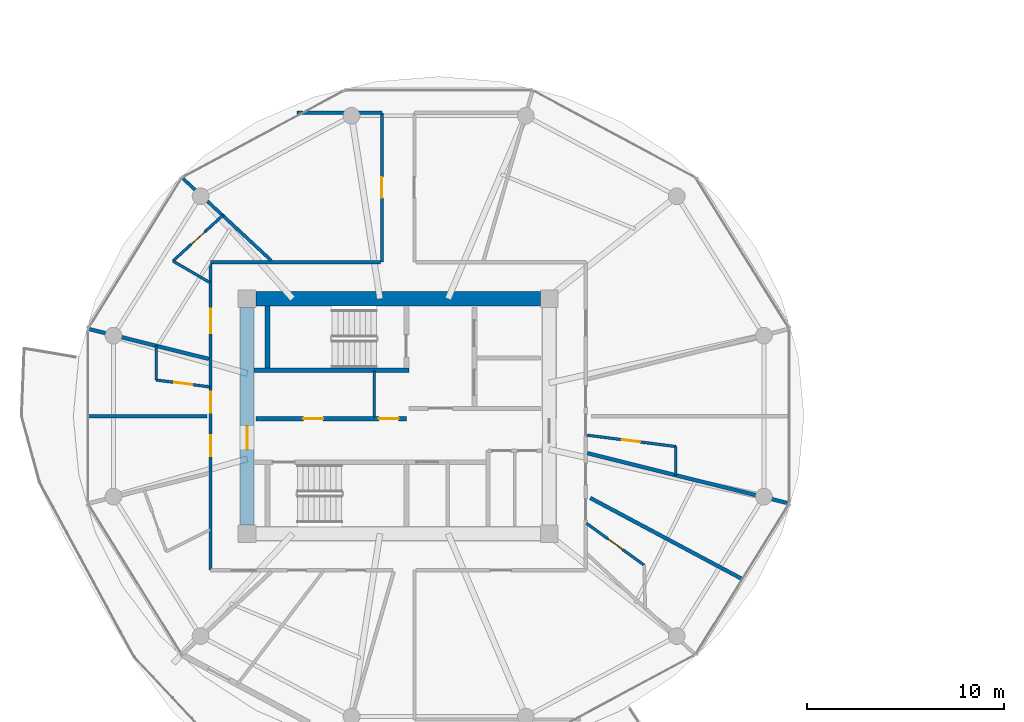
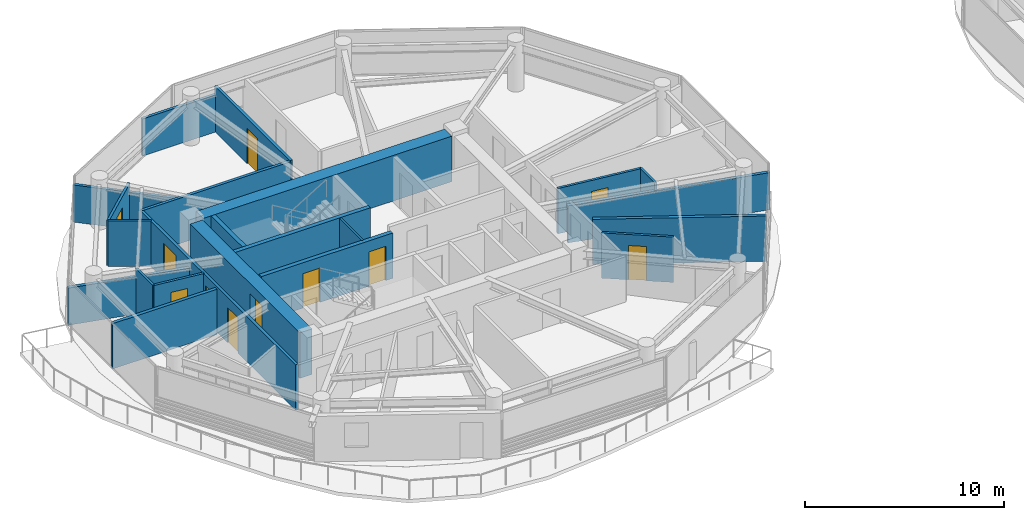
# One storey, part 14 of 24: 22 walls, 11 doors, 11 openings.
"""IFC4 building model written with IfcOpenShell, lengths in metres."""

from ifc_helpers import new_model, si_unit, direction, frame, frame_2d, origin, place, context, subcontext, project, spatial, rectangle, extrude, source, transform, mapped, material, layer, layer_set, type_object, type_shapes, element, fill, save


model = new_model("IFC4")

# Units and contexts
model_context = context("Model", 3, precision=1e-05, world=origin(), true_north=direction((0.0, 1.0)))
body_context = subcontext(model_context, "Body", "Model", "MODEL_VIEW")
ifc_project = project(units=[si_unit("LENGTHUNIT", "METRE"), si_unit("AREAUNIT", "SQUARE_METRE"), si_unit("VOLUMEUNIT", "CUBIC_METRE"), si_unit("PLANEANGLEUNIT", "RADIAN"), si_unit("MASSUNIT", "GRAM", prefix="KILO")], contexts=[model_context])

# Site, building, storey
site_placement = place(None, origin())
site = spatial("IfcSite", under=ifc_project, at=site_placement, CompositionType="ELEMENT")
building_placement = place(site_placement, origin())
building = spatial("IfcBuilding", under=site, at=building_placement, Name="Norrkilde Senior Care Towers", CompositionType="ELEMENT")
storey_placement = place(building_placement, frame((0.0, 0.0, 105.39990234375)))
storey = spatial("IfcBuildingStorey", under=building, at=storey_placement, Name="L32", CompositionType="ELEMENT", Elevation=105.39990234375)

# Wall
ifc_material_1 = material(Name="Concrete C60/75", Category="concrete")
ifc_layer_1 = layer(ifc_material_1, 0.719970703125)
ifc_layer_set_1 = layer_set([ifc_layer_1], Name="Concrete C60/75")
wall_type_1 = type_object("IfcWallType", Name="Core Shear Wall Z2 720", PredefinedType="SHEAR", material=ifc_layer_set_1)
shared_shape_1 = source(origin(), body_context, "Body", "SweptSolid", [
    extrude(rectangle(XDim=14.39990234375, YDim=0.719970703125, at=frame_2d((7.199951171875, 0.0))), origin(), (0.0, 0.0, 1.0), 2.7900390625),
])
wall_1_placement = place(storey_placement, frame((-35.199951171875, 5.949951171875, 0.0), z_axis=(0.0, 0.0, 1.0), x_axis=(1.0, 0.0, 0.0)))
element("IfcWall", 1, at=wall_1_placement, inside=storey, type_object=wall_type_1, Name="L32 Core W North Shear Wall", PredefinedType="SHEAR", context=body_context, shape_type="MappedRepresentation", body=[
    mapped(shared_shape_1, transform((0.0, 0.0, 0.0), x_axis=(1.0, 0.0, 0.0), y_axis=(0.0, 1.0, 0.0), z_axis=(0.0, 0.0, 1.0), scale=1.0)),
])

# Wall, opening, door
shared_shape_2 = source(origin(), body_context, "Body", "SweptSolid", [
    extrude(rectangle(XDim=11.0, YDim=0.719970703125, at=frame_2d((5.5, 0.0))), origin(), (0.0, 0.0, 1.0), 2.7900390625),
])
type_shapes(wall_type_1, [shared_shape_1, shared_shape_2])
wall_2_placement = place(storey_placement, frame((-35.64990234375, -5.5, 0.0), z_axis=(0.0, 0.0, 1.0), x_axis=(0.0, 1.0, 0.0)))
wall_2 = element("IfcWall", 2, at=wall_2_placement, inside=storey, type_object=wall_type_1, Name="L32 Core W West Shear Wall", PredefinedType="SHEAR", context=body_context, shape_type="MappedRepresentation", body=[
    mapped(shared_shape_2, transform((0.0, 0.0, 0.0), x_axis=(1.0, 0.0, 0.0), y_axis=(0.0, 1.0, 0.0), z_axis=(0.0, 0.0, 1.0), scale=1.0)),
])
opening_1_placement = place(wall_2_placement, frame((3.800048828125, 0.0, 0.0)))
opening_1 = element("IfcOpeningElement", 3, at=opening_1_placement, cuts=wall_2, Name="Opening D-04", PredefinedType="OPENING", context=body_context, shape_type="SweptSolid", body=[
    extrude(rectangle(XDim=1.199951171875, YDim=2.14990234375, at=frame_2d((0.60009765625, 1.074951171875))), frame((0.0, 0.369873046875, 0.0), z_axis=(0.0, -1.0, 0.0), x_axis=(1.0, 0.0, 0.0)), (0.0, 0.0, 1.0), 0.739990234375),
])
ifc_material_2 = material(Name="Galvanised Painted Steel", Category="steel")
door_type_1 = type_object("IfcDoorType", Name="Firefighting Lobby Fire Door 1200x2150", OperationType="NOTDEFINED", PredefinedType="DOOR", material=ifc_material_2)
shared_shape_3 = source(origin(), body_context, "Body", "SweptSolid", [
    extrude(rectangle(XDim=1.199951171875, YDim=2.14990234375, at=frame_2d((0.60009765625, 1.074951171875))), frame((0.0, 0.02490234375, 0.0), z_axis=(0.0, -1.0, 0.0), x_axis=(1.0, 0.0, 0.0)), (0.0, 0.0, 1.0), 0.050048828125),
])
type_shapes(door_type_1, [shared_shape_3])
door_1_placement = place(opening_1_placement, frame((1.199951171875, 0.0, 0.0), z_axis=(0.0, 0.0, 1.0), x_axis=(-1.0, 0.0, 0.0)))
door_1 = element("IfcDoor", 4, at=door_1_placement, inside=storey, type_object=door_type_1, Name="L32 Core W West Portal Door", OperationType="SINGLE_SWING_LEFT", OverallHeight=2.14990234375, OverallWidth=1.199951171875, PredefinedType="DOOR", context=body_context, shape_type="MappedRepresentation", body=[
    mapped(shared_shape_3, transform((0.0, 0.0, 0.0), x_axis=(1.0, 0.0, 0.0), y_axis=(0.0, 1.0, 0.0), z_axis=(0.0, 0.0, 1.0), scale=1.0)),
])
fill(opening_1, door_1)

# Wall, openings, doors
ifc_material_3 = material(Name="Concrete C45/55", Category="concrete")
ifc_layer_2 = layer(ifc_material_3, 0.239990234375)
ifc_layer_set_2 = layer_set([ifc_layer_2], Name="Concrete C45/55")
wall_type_2 = type_object("IfcWallType", Name="Lift and Plant Rated Enclosure Partition 240", PredefinedType="PARTITIONING", material=ifc_layer_set_2)
shared_shape_4 = source(origin(), body_context, "Body", "SweptSolid", [
    extrude(rectangle(XDim=7.619873046875, YDim=0.239990234375, at=frame_2d((3.81005859375, 0.0))), origin(), (0.0, 0.0, 1.0), 2.775146484375),
])
type_shapes(wall_type_2, [shared_shape_4])
wall_3_placement = place(storey_placement, frame((-35.199951171875, -0.1298828125, 0.0), z_axis=(0.0, 0.0, 1.0), x_axis=(1.0, 0.0, 0.0)))
wall_3 = element("IfcWall", 5, at=wall_3_placement, inside=storey, type_object=wall_type_2, Name="WL-INT-L32-W-PKAS", PredefinedType="PARTITIONING", context=body_context, shape_type="MappedRepresentation", body=[
    mapped(shared_shape_4, transform((0.0, 0.0, 0.0), x_axis=(1.0, 0.0, 0.0), y_axis=(0.0, 1.0, 0.0), z_axis=(0.0, 0.0, 1.0), scale=1.0)),
])
opening_2_placement = place(wall_3_placement, frame((6.219970703125, 0.0, 0.0)))
opening_2 = element("IfcOpeningElement", 6, at=opening_2_placement, cuts=wall_3, Name="Opening D-10", PredefinedType="OPENING", context=body_context, shape_type="SweptSolid", body=[
    extrude(rectangle(XDim=1.0, YDim=2.10009765625, at=frame_2d((0.5, 1.050048828125))), frame((0.0, 0.1298828125, 0.0), z_axis=(0.0, -1.0, 0.0), x_axis=(1.0, 0.0, 0.0)), (0.0, 0.0, 1.0), 0.260009765625),
])
opening_3_placement = place(wall_3_placement, frame((2.39990234375, 0.0, 0.0)))
opening_3 = element("IfcOpeningElement", 7, at=opening_3_placement, cuts=wall_3, Name="Opening D-10", PredefinedType="OPENING", context=body_context, shape_type="SweptSolid", body=[
    extrude(rectangle(XDim=1.0, YDim=2.10009765625, at=frame_2d((0.5, 1.050048828125))), frame((0.0, 0.1298828125, 0.0), z_axis=(0.0, -1.0, 0.0), x_axis=(1.0, 0.0, 0.0)), (0.0, 0.0, 1.0), 0.260009765625),
])
door_type_2 = type_object("IfcDoorType", Name="Plant and Riser Rated Door 1000x2100", OperationType="NOTDEFINED", PredefinedType="DOOR", material=ifc_material_2)
shared_shape_5 = source(origin(), body_context, "Body", "SweptSolid", [
    extrude(rectangle(XDim=1.0, YDim=2.10009765625, at=frame_2d((0.5, 1.050048828125))), frame((0.0, 0.02490234375, 0.0), z_axis=(0.0, -1.0, 0.0), x_axis=(1.0, 0.0, 0.0)), (0.0, 0.0, 1.0), 0.050048828125),
])
type_shapes(door_type_2, [shared_shape_5])
door_2_placement = place(opening_2_placement, frame((1.0, 0.0, 0.0), z_axis=(0.0, 0.0, 1.0), x_axis=(-1.0, 0.0, 0.0)))
door_2 = element("IfcDoor", 8, at=door_2_placement, inside=storey, type_object=door_type_2, Name="L32 Electrical Riser W Door", OperationType="SINGLE_SWING_LEFT", OverallHeight=2.10009765625, OverallWidth=1.0, PredefinedType="DOOR", context=body_context, shape_type="MappedRepresentation", body=[
    mapped(shared_shape_5, transform((0.0, 0.0, 0.0), x_axis=(1.0, 0.0, 0.0), y_axis=(0.0, 1.0, 0.0), z_axis=(0.0, 0.0, 1.0), scale=1.0)),
])
fill(opening_2, door_2)
door_3_placement = place(opening_3_placement, frame((1.0, 0.0, 0.0), z_axis=(0.0, 0.0, 1.0), x_axis=(-1.0, 0.0, 0.0)))
door_3 = element("IfcDoor", 9, at=door_3_placement, inside=storey, type_object=door_type_2, Name="L32 Clean Supply Store W Door", OperationType="SINGLE_SWING_LEFT", OverallHeight=2.10009765625, OverallWidth=1.0, PredefinedType="DOOR", context=body_context, shape_type="MappedRepresentation", body=[
    mapped(shared_shape_5, transform((0.0, 0.0, 0.0), x_axis=(1.0, 0.0, 0.0), y_axis=(0.0, 1.0, 0.0), z_axis=(0.0, 0.0, 1.0), scale=1.0)),
])
fill(opening_3, door_3)

# Wall
ifc_material_4 = material(Name="Gypsum Acoustic Board")
ifc_layer_3 = layer(ifc_material_4, 0.114990234375)
ifc_layer_set_3 = layer_set([ifc_layer_3], Name="Gypsum Acoustic Board")
wall_type_3 = type_object("IfcWallType", Name="Internal Room Partition 115", PredefinedType="PARTITIONING", material=ifc_layer_set_3)
shared_shape_6 = source(origin(), body_context, "Body", "SweptSolid", [
    extrude(rectangle(XDim=2.330078125, YDim=0.114990234375, at=frame_2d((1.1650390625, 0.0))), origin(), (0.0, 0.0, 1.0), 2.775146484375),
])
type_shapes(wall_type_3, [shared_shape_6])
wall_4_placement = place(storey_placement, frame((-29.2099609375, -0.050048828125, 0.0), z_axis=(0.0, 0.0, 1.0), x_axis=(0.0, 1.0, 0.0)))
element("IfcWall", 10, at=wall_4_placement, inside=storey, type_object=wall_type_3, Name="WL-INT-L32-W-RISW", PredefinedType="PARTITIONING", context=body_context, shape_type="MappedRepresentation", body=[
    mapped(shared_shape_6, transform((0.0, 0.0, 0.0), x_axis=(1.0, 0.0, 0.0), y_axis=(0.0, 1.0, 0.0), z_axis=(0.0, 0.0, 1.0), scale=1.0)),
])

# Wall, openings, doors
ifc_layer_4 = layer(ifc_material_4, 0.1650390625)
ifc_layer_set_4 = layer_set([ifc_layer_4], Name="Gypsum Acoustic Board")
wall_type_4 = type_object("IfcWallType", Name="Corridor Rated Partition 165", PredefinedType="PARTITIONING", material=ifc_layer_set_4)
shared_shape_7 = source(origin(), body_context, "Body", "SweptSolid", [
    extrude(rectangle(XDim=15.60009765625, YDim=0.1650390625, at=frame_2d((7.800048828125, 0.0))), origin(), (0.0, 0.0, 1.0), 2.775146484375),
])
wall_5_placement = place(storey_placement, frame((-37.5, -7.800048828125, 0.0), z_axis=(0.0, 0.0, 1.0), x_axis=(0.0, 1.0, 0.0)))
wall_5 = element("IfcWall", 11, at=wall_5_placement, inside=storey, type_object=wall_type_4, Name="WL-INT-L32-W-CRW-W-0", PredefinedType="PARTITIONING", context=body_context, shape_type="MappedRepresentation", body=[
    mapped(shared_shape_7, transform((0.0, 0.0, 0.0), x_axis=(1.0, 0.0, 0.0), y_axis=(0.0, 1.0, 0.0), z_axis=(0.0, 0.0, 1.0), scale=1.0)),
])
opening_4_placement = place(wall_5_placement, frame((11.994140625, 0.0, 0.0)))
opening_4 = element("IfcOpeningElement", 12, at=opening_4_placement, cuts=wall_5, Name="Opening D-05", PredefinedType="OPENING", context=body_context, shape_type="SweptSolid", body=[
    extrude(rectangle(XDim=1.25, YDim=2.199951171875, at=frame_2d((0.625, 1.10009765625))), frame((0.0, 0.092529296875, 0.0), z_axis=(0.0, -1.0, 0.0), x_axis=(1.0, 0.0, 0.0)), (0.0, 0.0, 1.0), 0.18505859375),
])
opening_5_placement = place(wall_5_placement, frame((7.984375, 0.0, 0.0)))
opening_5 = element("IfcOpeningElement", 13, at=opening_5_placement, cuts=wall_5, Name="Opening D-06", PredefinedType="OPENING", context=body_context, shape_type="SweptSolid", body=[
    extrude(rectangle(XDim=1.050048828125, YDim=2.14990234375, at=frame_2d((0.52490234375, 1.074951171875))), frame((0.0, 0.092529296875, 0.0), z_axis=(0.0, -1.0, 0.0), x_axis=(1.0, 0.0, 0.0)), (0.0, 0.0, 1.0), 0.18505859375),
])
opening_6_placement = place(wall_5_placement, frame((5.776611328125, 0.0, 0.0)))
opening_6 = element("IfcOpeningElement", 14, at=opening_6_placement, cuts=wall_5, Name="Opening D-06", PredefinedType="OPENING", context=body_context, shape_type="SweptSolid", body=[
    extrude(rectangle(XDim=1.050048828125, YDim=2.14990234375, at=frame_2d((0.52490234375, 1.074951171875))), frame((0.0, 0.092529296875, 0.0), z_axis=(0.0, -1.0, 0.0), x_axis=(1.0, 0.0, 0.0)), (0.0, 0.0, 1.0), 0.18505859375),
])
ifc_material_5 = material(Name="Nordic Ash Timber", Category="wood")
door_type_3 = type_object("IfcDoorType", Name="Care Bedroom Bariatric Door 1250x2200", OperationType="NOTDEFINED", PredefinedType="DOOR", material=ifc_material_5)
shared_shape_8 = source(origin(), body_context, "Body", "SweptSolid", [
    extrude(rectangle(XDim=1.25, YDim=2.199951171875, at=frame_2d((0.625, 1.10009765625))), frame((0.0, 0.02490234375, 0.0), z_axis=(0.0, -1.0, 0.0), x_axis=(1.0, 0.0, 0.0)), (0.0, 0.0, 1.0), 0.050048828125),
])
type_shapes(door_type_3, [shared_shape_8])
door_4_placement = place(opening_4_placement, frame((1.25, 0.0, 0.0), z_axis=(0.0, 0.0, 1.0), x_axis=(-1.0, 0.0, 0.0)))
door_4 = element("IfcDoor", 15, at=door_4_placement, inside=storey, type_object=door_type_3, Name="L32 Care Suite 3204 Entrance Door", OperationType="SINGLE_SWING_LEFT", OverallHeight=2.199951171875, OverallWidth=1.25, PredefinedType="DOOR", context=body_context, shape_type="MappedRepresentation", body=[
    mapped(shared_shape_8, transform((0.0, 0.0, 0.0), x_axis=(1.0, 0.0, 0.0), y_axis=(0.0, 1.0, 0.0), z_axis=(0.0, 0.0, 1.0), scale=1.0)),
])
fill(opening_4, door_4)
door_type_4 = type_object("IfcDoorType", Name="Apartment Entrance Fire Door 1050x2150", OperationType="NOTDEFINED", PredefinedType="DOOR", material=ifc_material_5)
shared_shape_9 = source(origin(), body_context, "Body", "SweptSolid", [
    extrude(rectangle(XDim=1.050048828125, YDim=2.14990234375, at=frame_2d((0.52490234375, 1.074951171875))), frame((0.0, 0.02490234375, 0.0), z_axis=(0.0, -1.0, 0.0), x_axis=(1.0, 0.0, 0.0)), (0.0, 0.0, 1.0), 0.050048828125),
])
type_shapes(door_type_4, [shared_shape_9])
door_5_placement = place(opening_5_placement, frame((1.050048828125, 0.0, 0.0), z_axis=(0.0, 0.0, 1.0), x_axis=(-1.0, 0.0, 0.0)))
door_5 = element("IfcDoor", 16, at=door_5_placement, inside=storey, type_object=door_type_4, Name="L32 Care Suite 3205A Entrance Door", OperationType="SINGLE_SWING_RIGHT", OverallHeight=2.14990234375, OverallWidth=1.050048828125, PredefinedType="DOOR", context=body_context, shape_type="MappedRepresentation", body=[
    mapped(shared_shape_9, transform((0.0, 0.0, 0.0), x_axis=(1.0, 0.0, 0.0), y_axis=(0.0, 1.0, 0.0), z_axis=(0.0, 0.0, 1.0), scale=1.0)),
])
fill(opening_5, door_5)
door_6_placement = place(opening_6_placement, frame((1.050048828125, 0.0, 0.0), z_axis=(0.0, 0.0, 1.0), x_axis=(-1.0, 0.0, 0.0)))
door_6 = element("IfcDoor", 17, at=door_6_placement, inside=storey, type_object=door_type_4, Name="L32 Therapy Day Lounge 05 Door", OperationType="SINGLE_SWING_LEFT", OverallHeight=2.14990234375, OverallWidth=1.050048828125, PredefinedType="DOOR", context=body_context, shape_type="MappedRepresentation", body=[
    mapped(shared_shape_9, transform((0.0, 0.0, 0.0), x_axis=(1.0, 0.0, 0.0), y_axis=(0.0, 1.0, 0.0), z_axis=(0.0, 0.0, 1.0), scale=1.0)),
])
fill(opening_6, door_6)

# Walls
ifc_layer_5 = layer(ifc_material_3, 0.239990234375)
ifc_layer_set_5 = layer_set([ifc_layer_5], Name="Concrete C45/55")
wall_type_5 = type_object("IfcWallType", Name="Shaft and Stair Enclosure Wall 240", PredefinedType="PARTITIONING", material=ifc_layer_set_5)
shared_shape_10 = source(origin(), body_context, "Body", "SweptSolid", [
    extrude(rectangle(XDim=7.830078125, YDim=0.239990234375, at=frame_2d((3.9150390625, 0.0))), origin(), (0.0, 0.0, 1.0), 2.7900390625),
])
wall_6_placement = place(storey_placement, frame((-35.2900390625, 2.330078125, 0.0), z_axis=(0.0, 0.0, 1.0), x_axis=(1.0, 0.0, 0.0)))
element("IfcWall", 18, at=wall_6_placement, inside=storey, type_object=wall_type_5, Name="WL-INT-L32-W-ST1S", PredefinedType="PARTITIONING", context=body_context, shape_type="MappedRepresentation", body=[
    mapped(shared_shape_10, transform((0.0, 0.0, 0.0), x_axis=(1.0, 0.0, 0.0), y_axis=(0.0, 1.0, 0.0), z_axis=(0.0, 0.0, 1.0), scale=1.0)),
])
shared_shape_11 = source(origin(), body_context, "Body", "SweptSolid", [
    extrude(rectangle(XDim=3.14013671875, YDim=0.239990234375, at=frame_2d((1.570068359375, 0.0))), origin(), (0.0, 0.0, 1.0), 2.7900390625),
])
type_shapes(wall_type_5, [shared_shape_10, shared_shape_11])
wall_7_placement = place(storey_placement, frame((-34.6201171875, 2.449951171875, 0.0), z_axis=(0.0, 0.0, 1.0), x_axis=(0.0, 1.0, 0.0)))
element("IfcWall", 19, at=wall_7_placement, inside=storey, type_object=wall_type_5, Name="WL-INT-L32-W-ST1W", PredefinedType="PARTITIONING", context=body_context, shape_type="MappedRepresentation", body=[
    mapped(shared_shape_11, transform((0.0, 0.0, 0.0), x_axis=(1.0, 0.0, 0.0), y_axis=(0.0, 1.0, 0.0), z_axis=(0.0, 0.0, 1.0), scale=1.0)),
])
ifc_layer_6 = layer(ifc_material_4, 0.18994140625)
ifc_layer_set_6 = layer_set([ifc_layer_6], Name="Gypsum Acoustic Board")
wall_type_6 = type_object("IfcWallType", Name="Unit Demising Acoustic Wall 190", PredefinedType="PARTITIONING", material=ifc_layer_set_6)
shared_shape_12 = source(origin(), body_context, "Body", "SweptSolid", [
    extrude(rectangle(XDim=10.5556640625, YDim=0.18994140625, at=frame_2d((5.27783203125, 0.0))), origin(), (0.0, 0.0, 1.0), 2.275146484375),
])
wall_8_placement = place(storey_placement, frame((-18.419921875, -1.875, 0.0), z_axis=(0.0, 0.0, 1.0), x_axis=(0.970363857851, -0.241648470667, 0.0)))
element("IfcWall", 20, at=wall_8_placement, inside=storey, type_object=wall_type_6, Name="WL-INT-L32-W-DEM-11-0", PredefinedType="PARTITIONING", context=body_context, shape_type="MappedRepresentation", body=[
    mapped(shared_shape_12, transform((0.0, 0.0, 0.0), x_axis=(1.0, 0.0, 0.0), y_axis=(0.0, 1.0, 0.0), z_axis=(0.0, 0.0, 1.0), scale=1.0)),
])
shared_shape_13 = source(origin(), body_context, "Body", "SweptSolid", [
    extrude(rectangle(XDim=6.33056640625, YDim=0.18994140625, at=frame_2d((3.165283203125, 0.0))), origin(), (0.0, 0.0, 1.0), 2.275146484375),
])
wall_9_placement = place(storey_placement, frame((-37.580078125, 2.89599609375, 0.0), z_axis=(0.0, 0.0, 1.0), x_axis=(-0.97036440661, 0.241646267062, 0.0)))
element("IfcWall", 21, at=wall_9_placement, inside=storey, type_object=wall_type_6, Name="WL-INT-L32-W-DEM-05-0", PredefinedType="PARTITIONING", context=body_context, shape_type="MappedRepresentation", body=[
    mapped(shared_shape_13, transform((0.0, 0.0, 0.0), x_axis=(1.0, 0.0, 0.0), y_axis=(0.0, 1.0, 0.0), z_axis=(0.0, 0.0, 1.0), scale=1.0)),
])
ifc_layer_7 = layer(ifc_material_4, 0.139892578125)
ifc_layer_set_7 = layer_set([ifc_layer_7], Name="Gypsum Acoustic Board")
wall_type_7 = type_object("IfcWallType", Name="En-suite Wet Room Wall 140", PredefinedType="PARTITIONING", material=ifc_layer_set_7)
shared_shape_14 = source(origin(), body_context, "Body", "SweptSolid", [
    extrude(rectangle(XDim=2.171630859375, YDim=0.139892578125, at=frame_2d((1.0859375, 0.0))), origin(), (0.0, 0.0, 1.0), 2.775146484375),
])
wall_10_placement = place(storey_placement, frame((-37.530029296875, 6.761962890625, 0.0), z_axis=(0.0, 0.0, 1.0), x_axis=(-0.863562702562, 0.504241468688, 0.0)))
element("IfcWall", 22, at=wall_10_placement, inside=storey, type_object=wall_type_7, Name="WL-INT-L32-W-ES-04", PredefinedType="PARTITIONING", context=body_context, shape_type="MappedRepresentation", body=[
    mapped(shared_shape_14, transform((0.0, 0.0, 0.0), x_axis=(1.0, 0.0, 0.0), y_axis=(0.0, 1.0, 0.0), z_axis=(0.0, 0.0, 1.0), scale=1.0)),
])
shared_shape_15 = source(origin(), body_context, "Body", "SweptSolid", [
    extrude(rectangle(XDim=8.60009765625, YDim=0.1650390625, at=frame_2d((4.300048828125, 0.0))), origin(), (0.0, 0.0, 1.0), 2.775146484375),
])
wall_11_placement = place(storey_placement, frame((-37.5, 7.800048828125, 0.0), z_axis=(0.0, 0.0, 1.0), x_axis=(1.0, 0.0, 0.0)))
element("IfcWall", 23, at=wall_11_placement, inside=storey, type_object=wall_type_4, Name="WL-INT-L32-W-CRW-N-0", PredefinedType="PARTITIONING", context=body_context, shape_type="MappedRepresentation", body=[
    mapped(shared_shape_15, transform((0.0, 0.0, 0.0), x_axis=(1.0, 0.0, 0.0), y_axis=(0.0, 1.0, 0.0), z_axis=(0.0, 0.0, 1.0), scale=1.0)),
])
shared_shape_16 = source(origin(), body_context, "Body", "SweptSolid", [
    extrude(rectangle(XDim=6.186767578125, YDim=0.1650390625, at=frame_2d((3.09326171875, 0.0))), origin(), (0.0, 0.0, 1.0), 2.275146484375),
])
wall_12_placement = place(storey_placement, frame((-34.428955078125, 7.8798828125, 0.0), z_axis=(0.0, 0.0, 1.0), x_axis=(-0.732501077882, 0.680765870841, 0.0)))
element("IfcWall", 24, at=wall_12_placement, inside=storey, type_object=wall_type_4, Name="WL-INT-L32-W-DEM-04-0", PredefinedType="PARTITIONING", context=body_context, shape_type="MappedRepresentation", body=[
    mapped(shared_shape_16, transform((0.0, 0.0, 0.0), x_axis=(1.0, 0.0, 0.0), y_axis=(0.0, 1.0, 0.0), z_axis=(0.0, 0.0, 1.0), scale=1.0)),
])

# Wall, opening, door
shared_shape_17 = source(origin(), body_context, "Body", "SweptSolid", [
    extrude(rectangle(XDim=7.56005859375, YDim=0.1650390625, at=frame_2d((3.780029296875, 0.0))), origin(), (0.0, 0.0, 1.0), 2.775146484375),
])
wall_13_placement = place(storey_placement, frame((-28.820068359375, 7.800048828125, 0.0), z_axis=(0.0, 0.0, 1.0), x_axis=(0.0, 1.0, 0.0)))
wall_13 = element("IfcWall", 25, at=wall_13_placement, inside=storey, type_object=wall_type_4, Name="WL-INT-L32-W-PKW-NWL", PredefinedType="PARTITIONING", context=body_context, shape_type="MappedRepresentation", body=[
    mapped(shared_shape_17, transform((0.0, 0.0, 0.0), x_axis=(1.0, 0.0, 0.0), y_axis=(0.0, 1.0, 0.0), z_axis=(0.0, 0.0, 1.0), scale=1.0)),
])
opening_7_placement = place(wall_13_placement, frame((3.2548828125, 0.0, 0.0)))
opening_7 = element("IfcOpeningElement", 26, at=opening_7_placement, cuts=wall_13, Name="Opening D-06", PredefinedType="OPENING", context=body_context, shape_type="SweptSolid", body=[
    extrude(rectangle(XDim=1.050048828125, YDim=2.14990234375, at=frame_2d((0.52490234375, 1.074951171875))), frame((0.0, 0.092529296875, 0.0), z_axis=(0.0, -1.0, 0.0), x_axis=(1.0, 0.0, 0.0)), (0.0, 0.0, 1.0), 0.18505859375),
])
door_7_placement = place(opening_7_placement, frame((1.050048828125, 0.0, 0.0), z_axis=(0.0, 0.0, 1.0), x_axis=(-1.0, 0.0, 0.0)))
door_7 = element("IfcDoor", 27, at=door_7_placement, inside=storey, type_object=door_type_4, Name="L32 Reading Lounge NWL Door", OperationType="SINGLE_SWING_RIGHT", OverallHeight=2.14990234375, OverallWidth=1.050048828125, PredefinedType="DOOR", context=body_context, shape_type="MappedRepresentation", body=[
    mapped(shared_shape_9, transform((0.0, 0.0, 0.0), x_axis=(1.0, 0.0, 0.0), y_axis=(0.0, 1.0, 0.0), z_axis=(0.0, 0.0, 1.0), scale=1.0)),
])
fill(opening_7, door_7)

# Walls
shared_shape_18 = source(origin(), body_context, "Body", "SweptSolid", [
    extrude(rectangle(XDim=4.306884765625, YDim=0.1650390625, at=frame_2d((2.1533203125, 0.0))), origin(), (0.0, 0.0, 1.0), 2.275146484375),
])
type_shapes(wall_type_4, [shared_shape_7, shared_shape_15, shared_shape_16, shared_shape_17, shared_shape_18])
wall_14_placement = place(storey_placement, frame((-33.126953125, 15.360107421875, 0.0), z_axis=(0.0, 0.0, 1.0), x_axis=(1.0, 0.0, 0.0)))
element("IfcWall", 28, at=wall_14_placement, inside=storey, type_object=wall_type_4, Name="WL-INT-L32-W-PKH-NWL-0", PredefinedType="PARTITIONING", context=body_context, shape_type="MappedRepresentation", body=[
    mapped(shared_shape_18, transform((0.0, 0.0, 0.0), x_axis=(1.0, 0.0, 0.0), y_axis=(0.0, 1.0, 0.0), z_axis=(0.0, 0.0, 1.0), scale=1.0)),
])
shared_shape_19 = source(origin(), body_context, "Body", "SweptSolid", [
    extrude(rectangle(XDim=8.744384765625, YDim=0.18994140625, at=frame_2d((4.3720703125, 0.0))), origin(), (0.0, 0.0, 1.0), 2.775146484375),
])
wall_15_placement = place(storey_placement, frame((-18.27294921875, -4.141845703125, 0.0), z_axis=(0.0, 0.0, 1.0), x_axis=(0.882252449936, -0.470776607938, 0.0)))
element("IfcWall", 29, at=wall_15_placement, inside=storey, type_object=wall_type_6, Name="WL-INT-L32-W-CMID-10", PredefinedType="PARTITIONING", context=body_context, shape_type="MappedRepresentation", body=[
    mapped(shared_shape_19, transform((0.0, 0.0, 0.0), x_axis=(1.0, 0.0, 0.0), y_axis=(0.0, 1.0, 0.0), z_axis=(0.0, 0.0, 1.0), scale=1.0)),
])

# Wall, opening, door
shared_shape_20 = source(origin(), body_context, "Body", "SweptSolid", [
    extrude(rectangle(XDim=3.621337890625, YDim=0.139892578125, at=frame_2d((1.810546875, 0.0))), origin(), (0.0, 0.0, 1.0), 2.775146484375),
])
wall_16_placement = place(storey_placement, frame((-18.469970703125, -5.421875, 0.0), z_axis=(0.0, 0.0, 1.0), x_axis=(0.80968252222, -0.586868139544, 0.0)))
wall_16 = element("IfcWall", 30, at=wall_16_placement, inside=storey, type_object=wall_type_7, Name="WL-INT-L32-W-ES-10A", PredefinedType="PARTITIONING", context=body_context, shape_type="MappedRepresentation", body=[
    mapped(shared_shape_20, transform((0.0, 0.0, 0.0), x_axis=(1.0, 0.0, 0.0), y_axis=(0.0, 1.0, 0.0), z_axis=(0.0, 0.0, 1.0), scale=1.0)),
])
opening_8_placement = place(wall_16_placement, frame((1.3505859375, 0.0, 0.0)))
opening_8 = element("IfcOpeningElement", 31, at=opening_8_placement, cuts=wall_16, Name="Opening D-08", PredefinedType="OPENING", context=body_context, shape_type="SweptSolid", body=[
    extrude(rectangle(XDim=0.919921875, YDim=2.10009765625, at=frame_2d((0.4599609375, 1.050048828125))), frame((0.0, 0.079833984375, 0.0), z_axis=(0.0, -1.0, 0.0), x_axis=(1.0, 0.0, 0.0)), (0.0, 0.0, 1.0), 0.159912109375),
])
door_type_5 = type_object("IfcDoorType", Name="Accessible Wet Room Door 920x2100", OperationType="NOTDEFINED", PredefinedType="DOOR", material=ifc_material_5)
shared_shape_21 = source(origin(), body_context, "Body", "SweptSolid", [
    extrude(rectangle(XDim=0.919921875, YDim=2.10009765625, at=frame_2d((0.4599609375, 1.050048828125))), frame((0.0, 0.02490234375, 0.0), z_axis=(0.0, -1.0, 0.0), x_axis=(1.0, 0.0, 0.0)), (0.0, 0.0, 1.0), 0.050048828125),
])
type_shapes(door_type_5, [shared_shape_21])
door_8_placement = place(opening_8_placement, origin())
door_8 = element("IfcDoor", 32, at=door_8_placement, inside=storey, type_object=door_type_5, Name="L32 Care Suite 3210A Bathroom Door", OperationType="SINGLE_SWING_RIGHT", OverallHeight=2.10009765625, OverallWidth=0.919921875, PredefinedType="DOOR", context=body_context, shape_type="MappedRepresentation", body=[
    mapped(shared_shape_21, transform((0.0, 0.0, 0.0), x_axis=(1.0, 0.0, 0.0), y_axis=(0.0, 1.0, 0.0), z_axis=(0.0, 0.0, 1.0), scale=1.0)),
])
fill(opening_8, door_8)

shared_shape_22 = source(origin(), body_context, "Body", "SweptSolid", [
    extrude(rectangle(XDim=4.562255859375, YDim=0.139892578125, at=frame_2d((2.28125, 0.0))), origin(), (0.0, 0.0, 1.0), 2.775146484375),
])
wall_17_placement = place(storey_placement, frame((-18.469970703125, -0.95751953125, 0.0), z_axis=(0.0, 0.0, 1.0), x_axis=(0.991904666356, -0.126984774129, 0.0)))
wall_17 = element("IfcWall", 33, at=wall_17_placement, inside=storey, type_object=wall_type_7, Name="WL-INT-L32-W-ES-11A", PredefinedType="PARTITIONING", context=body_context, shape_type="MappedRepresentation", body=[
    mapped(shared_shape_22, transform((0.0, 0.0, 0.0), x_axis=(1.0, 0.0, 0.0), y_axis=(0.0, 1.0, 0.0), z_axis=(0.0, 0.0, 1.0), scale=1.0)),
])
opening_9_placement = place(wall_17_placement, frame((1.8212890625, 0.0, 0.0)))
opening_9 = element("IfcOpeningElement", 34, at=opening_9_placement, cuts=wall_17, Name="Opening D-08", PredefinedType="OPENING", context=body_context, shape_type="SweptSolid", body=[
    extrude(rectangle(XDim=0.919921875, YDim=2.10009765625, at=frame_2d((0.4599609375, 1.050048828125))), frame((0.0, 0.079833984375, 0.0), z_axis=(0.0, -1.0, 0.0), x_axis=(1.0, 0.0, 0.0)), (0.0, 0.0, 1.0), 0.159912109375),
])
door_9_placement = place(opening_9_placement, origin())
door_9 = element("IfcDoor", 35, at=door_9_placement, inside=storey, type_object=door_type_5, Name="L32 Care Suite 3211A Bathroom Door", OperationType="SINGLE_SWING_LEFT", OverallHeight=2.10009765625, OverallWidth=0.919921875, PredefinedType="DOOR", context=body_context, shape_type="MappedRepresentation", body=[
    mapped(shared_shape_21, transform((0.0, 0.0, 0.0), x_axis=(1.0, 0.0, 0.0), y_axis=(0.0, 1.0, 0.0), z_axis=(0.0, 0.0, 1.0), scale=1.0)),
])
fill(opening_9, door_9)

# Wall
shared_shape_23 = source(origin(), body_context, "Body", "SweptSolid", [
    extrude(rectangle(XDim=1.4677734375, YDim=0.139892578125, at=frame_2d((0.73388671875, 0.0))), origin(), (0.0, 0.0, 1.0), 2.775146484375),
])
wall_18_placement = place(storey_placement, frame((-13.944580078125, -1.536865234375, 0.0), z_axis=(0.0, 0.0, 1.0), x_axis=(-0.00399198416, -0.999992031999, 0.0)))
element("IfcWall", 36, at=wall_18_placement, inside=storey, type_object=wall_type_7, Name="WL-INT-L32-W-EF-11A", PredefinedType="PARTITIONING", context=body_context, shape_type="MappedRepresentation", body=[
    mapped(shared_shape_23, transform((0.0, 0.0, 0.0), x_axis=(1.0, 0.0, 0.0), y_axis=(0.0, 1.0, 0.0), z_axis=(0.0, 0.0, 1.0), scale=1.0)),
])

# Wall, opening, door
shared_shape_24 = source(origin(), body_context, "Body", "SweptSolid", [
    extrude(rectangle(XDim=3.456787109375, YDim=0.139892578125, at=frame_2d((1.728515625, 0.0))), origin(), (0.0, 0.0, 1.0), 2.775146484375),
])
wall_19_placement = place(storey_placement, frame((-39.4052734375, 7.85693359375, 0.0), z_axis=(0.0, 0.0, 1.0), x_axis=(0.737567375492, 0.675273549467, 0.0)))
wall_19 = element("IfcWall", 37, at=wall_19_placement, inside=storey, type_object=wall_type_7, Name="WL-INT-L32-W-EF-04", PredefinedType="PARTITIONING", context=body_context, shape_type="MappedRepresentation", body=[
    mapped(shared_shape_24, transform((0.0, 0.0, 0.0), x_axis=(1.0, 0.0, 0.0), y_axis=(0.0, 1.0, 0.0), z_axis=(0.0, 0.0, 1.0), scale=1.0)),
])
opening_10_placement = place(wall_19_placement, frame((1.268310546875, 0.0, 0.0)))
opening_10 = element("IfcOpeningElement", 38, at=opening_10_placement, cuts=wall_19, Name="Opening D-08", PredefinedType="OPENING", context=body_context, shape_type="SweptSolid", body=[
    extrude(rectangle(XDim=0.919921875, YDim=2.10009765625, at=frame_2d((0.4599609375, 1.050048828125))), frame((0.0, 0.079833984375, 0.0), z_axis=(0.0, -1.0, 0.0), x_axis=(1.0, 0.0, 0.0)), (0.0, 0.0, 1.0), 0.159912109375),
])
door_10_placement = place(opening_10_placement, origin())
door_10 = element("IfcDoor", 39, at=door_10_placement, inside=storey, type_object=door_type_5, Name="L32 Care Suite 3204 Bathroom Door", OperationType="SINGLE_SWING_RIGHT", OverallHeight=2.10009765625, OverallWidth=0.919921875, PredefinedType="DOOR", context=body_context, shape_type="MappedRepresentation", body=[
    mapped(shared_shape_21, transform((0.0, 0.0, 0.0), x_axis=(1.0, 0.0, 0.0), y_axis=(0.0, 1.0, 0.0), z_axis=(0.0, 0.0, 1.0), scale=1.0)),
])
fill(opening_10, door_10)

# Wall
shared_shape_25 = source(origin(), body_context, "Body", "SweptSolid", [
    extrude(rectangle(XDim=6.03857421875, YDim=0.18994140625, at=frame_2d((3.019287109375, 0.0))), origin(), (0.0, 0.0, 1.0), 2.775146484375),
])
type_shapes(wall_type_6, [shared_shape_12, shared_shape_13, shared_shape_19, shared_shape_25])
wall_20_placement = place(storey_placement, frame((-37.6845703125, 0.0, 0.0), z_axis=(0.0, 0.0, 1.0), x_axis=(-1.0, 0.0, 0.0)))
element("IfcWall", 40, at=wall_20_placement, inside=storey, type_object=wall_type_6, Name="WL-INT-L32-W-CMID-05", PredefinedType="PARTITIONING", context=body_context, shape_type="MappedRepresentation", body=[
    mapped(shared_shape_25, transform((0.0, 0.0, 0.0), x_axis=(1.0, 0.0, 0.0), y_axis=(0.0, 1.0, 0.0), z_axis=(0.0, 0.0, 1.0), scale=1.0)),
])

# Wall, opening, door
shared_shape_26 = source(origin(), body_context, "Body", "SweptSolid", [
    extrude(rectangle(XDim=2.74365234375, YDim=0.139892578125, at=frame_2d((1.371826171875, 0.0))), origin(), (0.0, 0.0, 1.0), 2.775146484375),
])
wall_21_placement = place(storey_placement, frame((-37.530029296875, 1.482421875, 0.0), z_axis=(0.0, 0.0, 1.0), x_axis=(-0.991916450239, 0.126892693823, 0.0)))
wall_21 = element("IfcWall", 41, at=wall_21_placement, inside=storey, type_object=wall_type_7, Name="WL-INT-L32-W-ES-05A", PredefinedType="PARTITIONING", context=body_context, shape_type="MappedRepresentation", body=[
    mapped(shared_shape_26, transform((0.0, 0.0, 0.0), x_axis=(1.0, 0.0, 0.0), y_axis=(0.0, 1.0, 0.0), z_axis=(0.0, 0.0, 1.0), scale=1.0)),
])
opening_11_placement = place(wall_21_placement, frame((0.911865234375, 0.0, 0.0)))
opening_11 = element("IfcOpeningElement", 42, at=opening_11_placement, cuts=wall_21, Name="Opening D-08", PredefinedType="OPENING", context=body_context, shape_type="SweptSolid", body=[
    extrude(rectangle(XDim=0.919921875, YDim=2.10009765625, at=frame_2d((0.4599609375, 1.050048828125))), frame((0.0, 0.079833984375, 0.0), z_axis=(0.0, -1.0, 0.0), x_axis=(1.0, 0.0, 0.0)), (0.0, 0.0, 1.0), 0.159912109375),
])
door_11_placement = place(opening_11_placement, origin())
door_11 = element("IfcDoor", 43, at=door_11_placement, inside=storey, type_object=door_type_5, Name="L32 Care Suite 3205A Bathroom Door", OperationType="SINGLE_SWING_LEFT", OverallHeight=2.10009765625, OverallWidth=0.919921875, PredefinedType="DOOR", context=body_context, shape_type="MappedRepresentation", body=[
    mapped(shared_shape_21, transform((0.0, 0.0, 0.0), x_axis=(1.0, 0.0, 0.0), y_axis=(0.0, 1.0, 0.0), z_axis=(0.0, 0.0, 1.0), scale=1.0)),
])
fill(opening_11, door_11)

# Wall
shared_shape_27 = source(origin(), body_context, "Body", "SweptSolid", [
    extrude(rectangle(XDim=1.7490234375, YDim=0.139892578125, at=frame_2d((0.87451171875, 0.0))), origin(), (0.0, 0.0, 1.0), 2.775146484375),
])
type_shapes(wall_type_7, [shared_shape_14, shared_shape_20, shared_shape_22, shared_shape_23, shared_shape_24, shared_shape_26, shared_shape_27])
wall_22_placement = place(storey_placement, frame((-40.25146484375, 1.83056640625, 0.0), z_axis=(0.0, 0.0, 1.0), x_axis=(0.003350064953, 0.999994388517, 0.0)))
element("IfcWall", 44, at=wall_22_placement, inside=storey, type_object=wall_type_7, Name="WL-INT-L32-W-EF-05A", PredefinedType="PARTITIONING", context=body_context, shape_type="MappedRepresentation", body=[
    mapped(shared_shape_27, transform((0.0, 0.0, 0.0), x_axis=(1.0, 0.0, 0.0), y_axis=(0.0, 1.0, 0.0), z_axis=(0.0, 0.0, 1.0), scale=1.0)),
])

save(model, "model.ifc")
